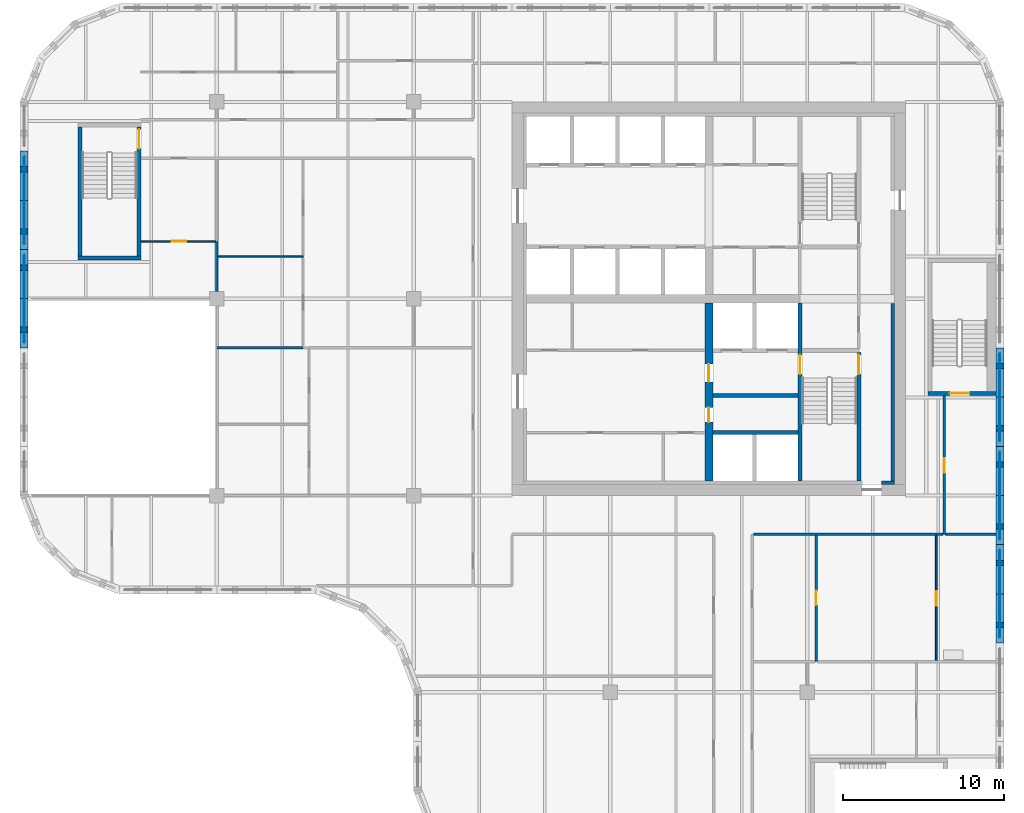
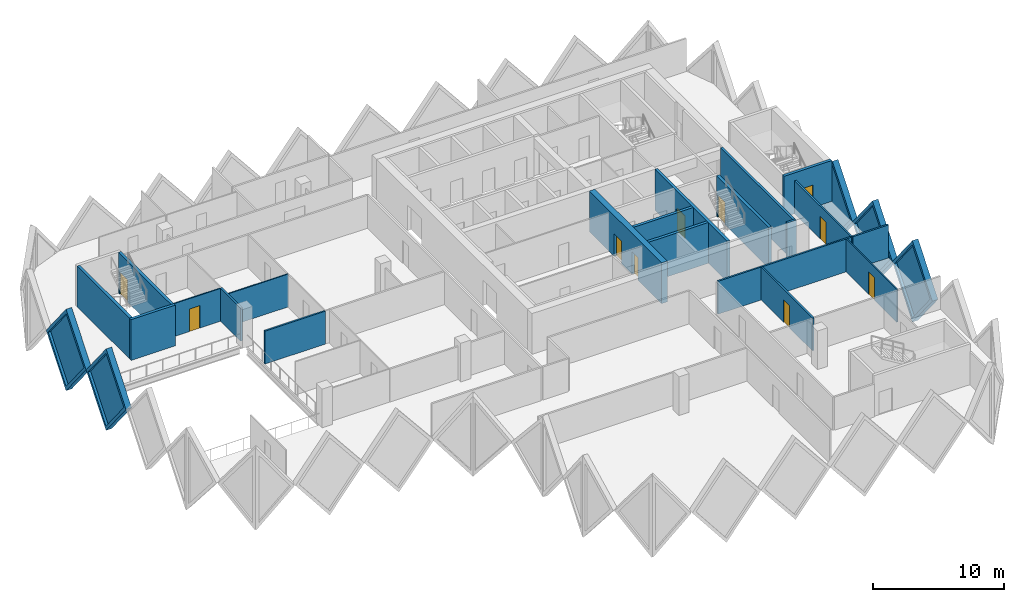
# One storey, part 6 of 13: 25 walls, 10 doors, 5 plates, 15 openings.
"""IFC4 building model written with IfcOpenShell, lengths in metres."""

from ifc_helpers import new_model, si_unit, direction, frame, frame_2d, origin, place, context, subcontext, project, spatial, polyline, rectangle, outline, extrude, faceted_brep, source, transform, mapped, material, layer, layer_set, type_object, element, fill, save


model = new_model("IFC4")

# Units and contexts
model_context = context("Model", 3, precision=1e-05, world=origin(), true_north=direction((0.0, 1.0)))
body_context = subcontext(model_context, "Body", "Model", "MODEL_VIEW")
ifc_project = project(units=[si_unit("LENGTHUNIT", "METRE"), si_unit("AREAUNIT", "SQUARE_METRE"), si_unit("VOLUMEUNIT", "CUBIC_METRE"), si_unit("PLANEANGLEUNIT", "RADIAN"), si_unit("MASSUNIT", "GRAM", prefix="KILO")], contexts=[model_context])

# Site, building, storey
site_placement = place(None, origin())
site = spatial("IfcSite", under=ifc_project, at=site_placement, CompositionType="ELEMENT")
building_placement = place(site_placement, origin())
building = spatial("IfcBuilding", under=site, at=building_placement, Name="Tessera Gate Towers", CompositionType="ELEMENT")
storey_placement = place(building_placement, frame((0.0, 0.0, 131.60009765625)))
storey = spatial("IfcBuildingStorey", under=building, at=storey_placement, Name="L32", CompositionType="ELEMENT", Elevation=131.60009765625)

# Wall, opening, door
ifc_material_1 = material(Name="Concrete C40/50", Category="concrete")
ifc_layer_1 = layer(ifc_material_1, 0.25)
ifc_layer_set_1 = layer_set([ifc_layer_1], Name="CORE ENCLOSURE WALL 250")
wall_type_1 = type_object("IfcWallType", Name="CORE ENCLOSURE WALL 250", PredefinedType="SOLIDWALL", material=ifc_layer_set_1)
wall_1_placement = place(storey_placement, frame((48.35009765625, 36.35009765625, 0.0), z_axis=(0.0, 0.0, 1.0), x_axis=(0.0, -1.0, 0.0)))
wall_1 = element("IfcWall", 1, at=wall_1_placement, inside=storey, type_object=wall_type_1, Name="L32 shaft and stair enclosure wall", PredefinedType="SOLIDWALL", context=body_context, shape_type="SweptSolid", body=[
    extrude(rectangle(XDim=11.050048828125, YDim=0.25, at=frame_2d((5.52490234375, 0.0))), origin(), (0.0, 0.0, 1.0), 3.7998046875),
])
shared_shape_1 = source(origin(), body_context, "Body", "SweptSolid", [
    extrude(rectangle(XDim=1.199951171875, YDim=2.10009765625, at=frame_2d((0.60009765625, 1.050048828125))), frame((0.0, 0.135009765625, 0.0), z_axis=(0.0, -1.0, 0.0), x_axis=(1.0, 0.0, 0.0)), (0.0, 0.0, 1.0), 0.27001953125),
])
opening_1_placement = place(wall_1_placement, frame((3.22509765625, 0.0, 0.0)))
opening_1 = element("IfcOpeningElement", 2, at=opening_1_placement, cuts=wall_1, Name="Opening SD-ST1-1", PredefinedType="OPENING", context=body_context, shape_type="MappedRepresentation", body=[
    mapped(shared_shape_1, transform((0.0, 0.0, 0.0), scale=1.0)),
])
ifc_material_2 = material(Name="Hollow steel fire door", Category="steel")
door_type_1 = type_object("IfcDoorType", Name="CORE DOOR SD 1200x2100", OperationType="NOTDEFINED", PredefinedType="DOOR", material=ifc_material_2)
shared_shape_2 = source(origin(), body_context, "Body", "SweptSolid", [
    extrude(rectangle(XDim=1.199951171875, YDim=2.10009765625, at=frame_2d((0.60009765625, 1.050048828125))), frame((0.0, 0.02490234375, 0.0), z_axis=(0.0, -1.0, 0.0), x_axis=(1.0, 0.0, 0.0)), (0.0, 0.0, 1.0), 0.050048828125),
])
door_1_placement = place(opening_1_placement, origin())
door_1 = element("IfcDoor", 3, at=door_1_placement, inside=storey, type_object=door_type_1, Name="Stair door", OperationType="SINGLE_SWING_LEFT", OverallHeight=2.10009765625, OverallWidth=1.199951171875, PredefinedType="DOOR", context=body_context, shape_type="MappedRepresentation", body=[
    mapped(shared_shape_2, transform((0.0, 0.0, 0.0), scale=1.0)),
])
fill(opening_1, door_1)

wall_2_placement = place(storey_placement, frame((52.0, 25.300048828125, 0.0), z_axis=(0.0, 0.0, 1.0), x_axis=(0.0, 1.0, 0.0)))
wall_2 = element("IfcWall", 4, at=wall_2_placement, inside=storey, type_object=wall_type_1, Name="L32 shaft and stair enclosure wall", PredefinedType="SOLIDWALL", context=body_context, shape_type="SweptSolid", body=[
    extrude(rectangle(XDim=7.974853515625, YDim=0.25, at=frame_2d((3.9873046875, 0.0))), origin(), (0.0, 0.0, 1.0), 3.7998046875),
])
opening_2_placement = place(wall_2_placement, frame((6.625, 0.0, 0.0)))
opening_2 = element("IfcOpeningElement", 5, at=opening_2_placement, cuts=wall_2, Name="Opening SD-ST1-2", PredefinedType="OPENING", context=body_context, shape_type="MappedRepresentation", body=[
    mapped(shared_shape_1, transform((0.0, 0.0, 0.0), scale=1.0)),
])
door_2_placement = place(opening_2_placement, origin())
door_2 = element("IfcDoor", 6, at=door_2_placement, inside=storey, type_object=door_type_1, Name="Stair door", OperationType="SINGLE_SWING_RIGHT", OverallHeight=2.10009765625, OverallWidth=1.199951171875, PredefinedType="DOOR", context=body_context, shape_type="MappedRepresentation", body=[
    mapped(shared_shape_2, transform((0.0, 0.0, 0.0), scale=1.0)),
])
fill(opening_2, door_2)

# Walls
for number, where, z_axis, x_axis, name in (
    (7, (42.949951171875, 28.300048828125, 0.0), (0.0, 0.0, 1.0), (1.0, 0.0, 0.0), "L32 shaft and stair enclosure wall"),
    (8, (42.949951171875, 30.60009765625, 0.0), (0.0, 0.0, 1.0), (1.0, 0.0, 0.0), "L32 shaft and stair enclosure wall"),
):
    element("IfcWall", number, at=place(storey_placement, frame(where, z_axis=z_axis, x_axis=x_axis)), inside=storey, type_object=wall_type_1, Name=name, PredefinedType="SOLIDWALL", context=body_context, shape_type="SweptSolid", body=[
        extrude(rectangle(XDim=5.275146484375, YDim=0.25, at=frame_2d((2.6376953125, 0.0))), origin(), (0.0, 0.0, 1.0), 3.7998046875),
    ])
wall_3_placement = place(storey_placement, frame((7.5, 39.125, 0.0), z_axis=(0.0, 0.0, 1.0), x_axis=(-1.0, 0.0, 0.0)))
element("IfcWall", 9, at=wall_3_placement, inside=storey, type_object=wall_type_1, Name="L32 ST3 enclosure wall", PredefinedType="SOLIDWALL", context=body_context, shape_type="SweptSolid", body=[
    extrude(rectangle(XDim=3.89990234375, YDim=0.25, at=frame_2d((1.949951171875, 0.0))), origin(), (0.0, 0.0, 1.0), 3.7998046875),
])
wall_4_placement = place(storey_placement, frame((3.72509765625, 39.25, 0.0), z_axis=(0.0, 0.0, 1.0), x_axis=(0.0, 1.0, 0.0)))
element("IfcWall", 10, at=wall_4_placement, inside=storey, type_object=wall_type_1, Name="L32 ST3 enclosure wall", PredefinedType="SOLIDWALL", context=body_context, shape_type="SweptSolid", body=[
    extrude(rectangle(XDim=8.0, YDim=0.25, at=frame_2d((4.0, 0.0))), origin(), (0.0, 0.0, 1.0), 3.7998046875),
])

# Wall, opening, door
wall_5_placement = place(storey_placement, frame((7.375, 47.25, 0.0), z_axis=(0.0, 0.0, 1.0), x_axis=(0.0, -1.0, 0.0)))
wall_5 = element("IfcWall", 11, at=wall_5_placement, inside=storey, type_object=wall_type_1, Name="L32 ST3 enclosure wall", PredefinedType="SOLIDWALL", context=body_context, shape_type="SweptSolid", body=[
    extrude(rectangle(XDim=8.0, YDim=0.25, at=frame_2d((4.0, 0.0))), origin(), (0.0, 0.0, 1.0), 3.7998046875),
])
opening_3_placement = place(wall_5_placement, frame((0.14990234375, 0.0, 0.0)))
opening_3 = element("IfcOpeningElement", 12, at=opening_3_placement, cuts=wall_5, Name="Opening SD-ST3-1", PredefinedType="OPENING", context=body_context, shape_type="MappedRepresentation", body=[
    mapped(shared_shape_1, transform((0.0, 0.0, 0.0), scale=1.0)),
])
door_3_placement = place(opening_3_placement, origin())
door_3 = element("IfcDoor", 13, at=door_3_placement, inside=storey, type_object=door_type_1, Name="Stair door", OperationType="SINGLE_SWING_LEFT", OverallHeight=2.10009765625, OverallWidth=1.199951171875, PredefinedType="DOOR", context=body_context, shape_type="MappedRepresentation", body=[
    mapped(shared_shape_2, transform((0.0, 0.0, 0.0), scale=1.0)),
])
fill(opening_3, door_3)

wall_6_placement = place(storey_placement, frame((60.5, 30.72509765625, 0.0), z_axis=(0.0, 0.0, 1.0), x_axis=(-1.0, 0.0, 0.0)))
wall_6 = element("IfcWall", 14, at=wall_6_placement, inside=storey, type_object=wall_type_1, Name="L32 ST5 enclosure wall", PredefinedType="SOLIDWALL", context=body_context, shape_type="SweptSolid", body=[
    extrude(rectangle(XDim=4.199951171875, YDim=0.25, at=frame_2d((2.10009765625, 0.0))), origin(), (0.0, 0.0, 1.0), 3.7998046875),
])
opening_4_placement = place(wall_6_placement, frame((1.64990234375, 0.0, 0.0)))
opening_4 = element("IfcOpeningElement", 15, at=opening_4_placement, cuts=wall_6, Name="Opening SD-ST5-1", PredefinedType="OPENING", context=body_context, shape_type="MappedRepresentation", body=[
    mapped(shared_shape_1, transform((0.0, 0.0, 0.0), scale=1.0)),
])
door_4_placement = place(opening_4_placement, origin())
door_4 = element("IfcDoor", 16, at=door_4_placement, inside=storey, type_object=door_type_1, Name="Stair door", OperationType="SINGLE_SWING_RIGHT", OverallHeight=2.10009765625, OverallWidth=1.199951171875, PredefinedType="DOOR", context=body_context, shape_type="MappedRepresentation", body=[
    mapped(shared_shape_2, transform((0.0, 0.0, 0.0), scale=1.0)),
])
fill(opening_4, door_4)

# Wall, openings, doors
ifc_material_3 = material(Name="Concrete C60/75", Category="concrete")
ifc_layer_2 = layer(ifc_material_3, 0.5)
ifc_layer_set_2 = layer_set([ifc_layer_2], Name="CORE SPINE WALL 500 C60/75")
wall_type_2 = type_object("IfcWallType", Name="CORE SPINE WALL 500 C60/75", PredefinedType="SHEAR", material=ifc_layer_set_2)
wall_7_placement = place(storey_placement, frame((42.699951171875, 36.35009765625, 0.0), z_axis=(0.0, 0.0, 1.0), x_axis=(0.0, -1.0, 0.0)))
wall_7 = element("IfcWall", 17, at=wall_7_placement, inside=storey, type_object=wall_type_2, Name="Core wall spine L32", PredefinedType="SHEAR", context=body_context, shape_type="SweptSolid", body=[
    extrude(rectangle(XDim=11.050048828125, YDim=0.5, at=frame_2d((5.52490234375, 0.0))), origin(), (0.0, 0.0, 1.0), 3.7998046875),
])
shared_shape_3 = source(origin(), body_context, "Body", "SweptSolid", [
    extrude(rectangle(XDim=0.89990234375, YDim=2.10009765625, at=frame_2d((0.449951171875, 1.050048828125))), frame((0.0, 0.260009765625, 0.0), z_axis=(0.0, -1.0, 0.0), x_axis=(1.0, 0.0, 0.0)), (0.0, 0.0, 1.0), 0.52001953125),
])
opening_5_placement = place(wall_7_placement, frame((6.5, 0.0, 0.0)))
opening_5 = element("IfcOpeningElement", 18, at=opening_5_placement, cuts=wall_7, Name="Opening RD-T1-22-05", PredefinedType="OPENING", context=body_context, shape_type="MappedRepresentation", body=[
    mapped(shared_shape_3, transform((0.0, 0.0, 0.0), scale=1.0)),
])
shared_shape_4 = source(origin(), body_context, "Body", "SweptSolid", [
    extrude(rectangle(XDim=1.10009765625, YDim=2.10009765625, at=frame_2d((0.550048828125, 1.050048828125))), frame((0.0, 0.260009765625, 0.0), z_axis=(0.0, -1.0, 0.0), x_axis=(1.0, 0.0, 0.0)), (0.0, 0.0, 1.0), 0.52001953125),
])
opening_6_placement = place(wall_7_placement, frame((3.800048828125, 0.0, 0.0)))
opening_6 = element("IfcOpeningElement", 19, at=opening_6_placement, cuts=wall_7, Name="Opening FD-T1-22-06", PredefinedType="OPENING", context=body_context, shape_type="MappedRepresentation", body=[
    mapped(shared_shape_4, transform((0.0, 0.0, 0.0), scale=1.0)),
])
ifc_material_4 = material(Name="Hollow steel fire door", Category="steel")
door_type_2 = type_object("IfcDoorType", Name="CORE DOOR RD 900x2100", OperationType="NOTDEFINED", PredefinedType="DOOR", material=ifc_material_4)
shared_shape_5 = source(origin(), body_context, "Body", "SweptSolid", [
    extrude(rectangle(XDim=0.89990234375, YDim=2.10009765625, at=frame_2d((0.449951171875, 1.050048828125))), frame((0.0, 0.02490234375, 0.0), z_axis=(0.0, -1.0, 0.0), x_axis=(1.0, 0.0, 0.0)), (0.0, 0.0, 1.0), 0.050048828125),
])
door_5_placement = place(opening_5_placement, origin())
door_5 = element("IfcDoor", 20, at=door_5_placement, inside=storey, type_object=door_type_2, Name="Core room door", OperationType="SINGLE_SWING_RIGHT", OverallHeight=2.10009765625, OverallWidth=0.89990234375, PredefinedType="DOOR", context=body_context, shape_type="MappedRepresentation", body=[
    mapped(shared_shape_5, transform((0.0, 0.0, 0.0), scale=1.0)),
])
fill(opening_5, door_5)
ifc_material_5 = material(Name="Hollow steel fire door", Category="steel")
door_type_3 = type_object("IfcDoorType", Name="CORE DOOR FD 1100x2100", OperationType="NOTDEFINED", PredefinedType="DOOR", material=ifc_material_5)
shared_shape_6 = source(origin(), body_context, "Body", "SweptSolid", [
    extrude(rectangle(XDim=1.10009765625, YDim=2.10009765625, at=frame_2d((0.550048828125, 1.050048828125))), frame((0.0, 0.02490234375, 0.0), z_axis=(0.0, -1.0, 0.0), x_axis=(1.0, 0.0, 0.0)), (0.0, 0.0, 1.0), 0.050048828125),
])
door_6_placement = place(opening_6_placement, origin())
door_6 = element("IfcDoor", 21, at=door_6_placement, inside=storey, type_object=door_type_3, Name="Fire-fighting lobby door", OperationType="SINGLE_SWING_LEFT", OverallHeight=2.10009765625, OverallWidth=1.10009765625, PredefinedType="DOOR", context=body_context, shape_type="MappedRepresentation", body=[
    mapped(shared_shape_6, transform((0.0, 0.0, 0.0), scale=1.0)),
])
fill(opening_6, door_6)

# Walls
ifc_material_6 = material(Name="Concrete C60/75", Category="concrete")
ifc_layer_3 = layer(ifc_material_6, 0.199951171875)
ifc_layer_set_3 = layer_set([ifc_layer_3], Name="CORE WALL THICKENING 200")
wall_type_3 = type_object("IfcWallType", Name="CORE WALL THICKENING 200", PredefinedType="SOLIDWALL", material=ifc_layer_set_3)
wall_8_placement = place(storey_placement, frame((53.39990234375, 25.199951171875, 0.0), z_axis=(0.0, 0.0, 1.0), x_axis=(1.0, 0.0, 0.0)))
element("IfcWall", 22, at=wall_8_placement, inside=storey, type_object=wall_type_3, Name="Core wall thickening S L32", PredefinedType="SOLIDWALL", context=body_context, shape_type="SweptSolid", body=[
    extrude(rectangle(XDim=0.800048828125, YDim=0.199951171875, at=frame_2d((0.39990234375, 0.0))), origin(), (0.0, 0.0, 1.0), 3.7998046875),
])
wall_9_placement = place(storey_placement, frame((54.10009765625, 25.300048828125, 0.0), z_axis=(0.0, 0.0, 1.0), x_axis=(0.0, 1.0, 0.0)))
element("IfcWall", 23, at=wall_9_placement, inside=storey, type_object=wall_type_3, Name="Core wall thickening E L32", PredefinedType="SOLIDWALL", context=body_context, shape_type="SweptSolid", body=[
    extrude(rectangle(XDim=11.02001953125, YDim=0.199951171875, at=frame_2d((5.510009765625, 0.0))), origin(), (0.0, 0.0, 1.0), 3.7998046875),
])
ifc_material_7 = material(Name="Gypsum board on steel studs, mineral wool", Category="steel")
ifc_layer_4 = layer(ifc_material_7, 0.14990234375)
ifc_layer_set_4 = layer_set([ifc_layer_4], Name="CORRIDOR WALL 150")
wall_type_4 = type_object("IfcWallType", Name="CORRIDOR WALL 150", PredefinedType="PARTITIONING", material=ifc_layer_set_4)
wall_10_placement = place(storey_placement, frame((45.47607421875, 22.0, 0.0), z_axis=(0.0, 0.0, 1.0), x_axis=(1.0, 0.0, 0.0)))
element("IfcWall", 24, at=wall_10_placement, inside=storey, type_object=wall_type_4, Name="T1-L32-PW-018", PredefinedType="PARTITIONING", context=body_context, shape_type="SweptSolid", body=[
    extrude(rectangle(XDim=11.748046875, YDim=0.14990234375, at=frame_2d((5.8740234375, 0.0))), origin(), (0.0, 0.0, 1.0), 3.06689453125),
])

# Wall, opening, door
wall_11_placement = place(storey_placement, frame((57.300048828125, 30.60009765625, 0.0), z_axis=(0.0, 0.0, 1.0), x_axis=(0.0, -1.0, 0.0)))
wall_11 = element("IfcWall", 25, at=wall_11_placement, inside=storey, type_object=wall_type_4, Name="T1-L32-PW-019", PredefinedType="PARTITIONING", context=body_context, shape_type="SweptSolid", body=[
    extrude(rectangle(XDim=8.60009765625, YDim=0.14990234375, at=frame_2d((4.300048828125, 0.0))), origin(), (0.0, 0.0, 1.0), 3.06689453125),
])
shared_shape_7 = source(origin(), body_context, "Body", "SweptSolid", [
    extrude(rectangle(XDim=0.89990234375, YDim=2.10009765625, at=frame_2d((0.449951171875, 1.050048828125))), frame((0.0, 0.0849609375, 0.0), z_axis=(0.0, -1.0, 0.0), x_axis=(1.0, 0.0, 0.0)), (0.0, 0.0, 1.0), 0.169921875),
])
opening_7_placement = place(wall_11_placement, frame((3.89990234375, 0.0, 0.0)))
opening_7 = element("IfcOpeningElement", 26, at=opening_7_placement, cuts=wall_11, Name="Opening D890FD60-A11-03", PredefinedType="OPENING", context=body_context, shape_type="MappedRepresentation", body=[
    mapped(shared_shape_7, transform((0.0, 0.0, 0.0), scale=1.0)),
])
ifc_material_8 = material(Name="Timber door leaf in steel frame", Category="steel")
door_type_4 = type_object("IfcDoorType", Name="CORRIDOR DOOR 900 FD60", OperationType="NOTDEFINED", PredefinedType="DOOR", material=ifc_material_8)
door_7_placement = place(opening_7_placement, origin())
door_7 = element("IfcDoor", 27, at=door_7_placement, inside=storey, type_object=door_type_4, Name="T1-L32-PD-017", OperationType="SINGLE_SWING_RIGHT", OverallHeight=2.10009765625, OverallWidth=0.89990234375, PredefinedType="DOOR", context=body_context, shape_type="MappedRepresentation", body=[
    mapped(shared_shape_5, transform((0.0, 0.0, 0.0), scale=1.0)),
])
fill(opening_7, door_7)

ifc_material_9 = material(Name="Gypsum board on steel studs", Category="steel")
ifc_layer_5 = layer(ifc_material_9, 0.10009765625)
ifc_layer_set_5 = layer_set([ifc_layer_5], Name="PARTITION 100")
wall_type_5 = type_object("IfcWallType", Name="PARTITION 100", PredefinedType="PARTITIONING", material=ifc_layer_set_5)
wall_12_placement = place(storey_placement, frame((56.800048828125, 21.924072265625, 0.0), z_axis=(0.0, 0.0, 1.0), x_axis=(0.0, -1.0, 0.0)))
wall_12 = element("IfcWall", 28, at=wall_12_placement, inside=storey, type_object=wall_type_5, Name="T1-L32-PW-011", PredefinedType="PARTITIONING", context=body_context, shape_type="SweptSolid", body=[
    extrude(rectangle(XDim=7.748046875, YDim=0.10009765625, at=frame_2d((3.8740234375, 0.0))), origin(), (0.0, 0.0, 1.0), 3.06689453125),
])
shared_shape_8 = source(origin(), body_context, "Body", "SweptSolid", [
    extrude(rectangle(XDim=0.89990234375, YDim=2.10009765625, at=frame_2d((0.449951171875, 1.050048828125))), frame((0.0, 0.06005859375, 0.0), z_axis=(0.0, -1.0, 0.0), x_axis=(1.0, 0.0, 0.0)), (0.0, 0.0, 1.0), 0.1201171875),
])
opening_8_placement = place(wall_12_placement, frame((3.447998046875, 0.0, 0.0)))
opening_8 = element("IfcOpeningElement", 29, at=opening_8_placement, cuts=wall_12, Name="Opening D190-A11-03", PredefinedType="OPENING", context=body_context, shape_type="MappedRepresentation", body=[
    mapped(shared_shape_8, transform((0.0, 0.0, 0.0), scale=1.0)),
])
ifc_material_10 = material(Name="Timber door leaf in steel frame", Category="steel")
door_type_5 = type_object("IfcDoorType", Name="INTERNAL DOOR 900 NOT RATED", OperationType="NOTDEFINED", PredefinedType="DOOR", material=ifc_material_10)
door_8_placement = place(opening_8_placement, origin())
door_8 = element("IfcDoor", 30, at=door_8_placement, inside=storey, type_object=door_type_5, Name="T1-L32-PD-012", OperationType="SINGLE_SWING_RIGHT", OverallHeight=2.10009765625, OverallWidth=0.89990234375, PredefinedType="DOOR", context=body_context, shape_type="MappedRepresentation", body=[
    mapped(shared_shape_5, transform((0.0, 0.0, 0.0), scale=1.0)),
])
fill(opening_8, door_8)

# Wall
wall_13_placement = place(storey_placement, frame((12.27587890625, 39.22607421875, 0.0), z_axis=(0.0, 0.0, 1.0), x_axis=(1.0, 0.0, 0.0)))
element("IfcWall", 31, at=wall_13_placement, inside=storey, type_object=wall_type_5, Name="T1-L32-PW-033", PredefinedType="PARTITIONING", context=body_context, shape_type="SweptSolid", body=[
    extrude(rectangle(XDim=5.274169921875, YDim=0.10009765625, at=frame_2d((2.63720703125, 0.0))), origin(), (0.0, 0.0, 1.0), 3.06689453125),
])

# Wall, opening, door
wall_14_placement = place(storey_placement, frame((12.1240234375, 40.155029296875, 0.0), z_axis=(0.0, 0.0, 1.0), x_axis=(-1.0, 0.0, 0.0)))
wall_14 = element("IfcWall", 32, at=wall_14_placement, inside=storey, type_object=wall_type_5, Name="T1-L32-PW-035", PredefinedType="PARTITIONING", context=body_context, shape_type="SweptSolid", body=[
    extrude(rectangle(XDim=4.6240234375, YDim=0.10009765625, at=frame_2d((2.31201171875, 0.0))), origin(), (0.0, 0.0, 1.0), 3.06689453125),
])
opening_9_placement = place(wall_14_placement, frame((1.823974609375, 0.0, 0.0)))
opening_9 = element("IfcOpeningElement", 33, at=opening_9_placement, cuts=wall_14, Name="Opening D190-A11-01", PredefinedType="OPENING", context=body_context, shape_type="MappedRepresentation", body=[
    mapped(shared_shape_8, transform((0.0, 0.0, 0.0), scale=1.0)),
])
door_9_placement = place(opening_9_placement, origin())
door_9 = element("IfcDoor", 34, at=door_9_placement, inside=storey, type_object=door_type_5, Name="T1-L32-PD-004", OperationType="SINGLE_SWING_RIGHT", OverallHeight=2.10009765625, OverallWidth=0.89990234375, PredefinedType="DOOR", context=body_context, shape_type="MappedRepresentation", body=[
    mapped(shared_shape_5, transform((0.0, 0.0, 0.0), scale=1.0)),
])
fill(opening_9, door_9)

ifc_material_11 = material(Name="Gypsum board on steel studs, mineral wool", Category="steel")
ifc_layer_6 = layer(ifc_material_11, 0.14990234375)
ifc_layer_set_6 = layer_set([ifc_layer_6], Name="TENANCY WALL 150")
wall_type_6 = type_object("IfcWallType", Name="TENANCY WALL 150", PredefinedType="PARTITIONING", material=ifc_layer_set_6)
wall_15_placement = place(storey_placement, frame((49.35009765625, 21.924072265625, 0.0), z_axis=(0.0, 0.0, 1.0), x_axis=(0.0, -1.0, 0.0)))
wall_15 = element("IfcWall", 35, at=wall_15_placement, inside=storey, type_object=wall_type_6, Name="T1-L32-PW-009", PredefinedType="PARTITIONING", context=body_context, shape_type="SweptSolid", body=[
    extrude(rectangle(XDim=7.823974609375, YDim=0.14990234375, at=frame_2d((3.912109375, 0.0))), origin(), (0.0, 0.0, 1.0), 3.06689453125),
])
opening_10_placement = place(wall_15_placement, frame((3.424072265625, 0.0, 0.0)))
opening_10 = element("IfcOpeningElement", 36, at=opening_10_placement, cuts=wall_15, Name="Opening D190-A11-04", PredefinedType="OPENING", context=body_context, shape_type="MappedRepresentation", body=[
    mapped(shared_shape_7, transform((0.0, 0.0, 0.0), scale=1.0)),
])
door_10_placement = place(opening_10_placement, origin())
door_10 = element("IfcDoor", 37, at=door_10_placement, inside=storey, type_object=door_type_5, Name="T1-L32-PD-013", OperationType="SINGLE_SWING_RIGHT", OverallHeight=2.10009765625, OverallWidth=0.89990234375, PredefinedType="DOOR", context=body_context, shape_type="MappedRepresentation", body=[
    mapped(shared_shape_5, transform((0.0, 0.0, 0.0), scale=1.0)),
])
fill(opening_10, door_10)

# Walls
wall_16_placement = place(storey_placement, frame((57.3759765625, 22.0, 0.0), z_axis=(0.0, 0.0, 1.0), x_axis=(1.0, 0.0, 0.0)))
element("IfcWall", 38, at=wall_16_placement, inside=storey, type_object=wall_type_6, Name="T1-L32-PW-020", PredefinedType="PARTITIONING", context=body_context, shape_type="SweptSolid", body=[
    extrude(rectangle(XDim=3.1240234375, YDim=0.14990234375, at=frame_2d((1.56201171875, 0.0))), origin(), (0.0, 0.0, 1.0), 3.06689453125),
])
wall_17_placement = place(storey_placement, frame((12.199951171875, 33.550048828125, 0.0), z_axis=(0.0, 0.0, 1.0), x_axis=(1.0, 0.0, 0.0)))
element("IfcWall", 39, at=wall_17_placement, inside=storey, type_object=wall_type_6, Name="T1-L32-PW-027", PredefinedType="PARTITIONING", context=body_context, shape_type="SweptSolid", body=[
    extrude(rectangle(XDim=5.35009765625, YDim=0.14990234375, at=frame_2d((2.675048828125, 0.0))), origin(), (0.0, 0.0, 1.0), 3.06689453125),
])
wall_18_placement = place(storey_placement, frame((12.199951171875, 37.051025390625, 0.0), z_axis=(0.0, 0.0, 1.0), x_axis=(0.0, 1.0, 0.0)))
element("IfcWall", 40, at=wall_18_placement, inside=storey, type_object=wall_type_6, Name="T1-L32-PW-032", PredefinedType="PARTITIONING", context=body_context, shape_type="SweptSolid", body=[
    extrude(rectangle(XDim=3.10400390625, YDim=0.14990234375, at=frame_2d((1.552001953125, 0.0))), origin(), (0.0, 0.0, 1.0), 3.06689453125),
])

# Wall, opening, plate
ifc_material_12 = material(Name="Precast concrete C60/75 white", Category="concrete")
ifc_layer_7 = layer(ifc_material_12, 0.5)
ifc_layer_set_7 = layer_set([ifc_layer_7], Name="TS1 tessera")
wall_type_7 = type_object("IfcWallType", Name="TS1 tessera", PredefinedType="SOLIDWALL", material=ifc_layer_set_7)
shared_shape_9 = source(origin(), body_context, "Body", "Brep", [
    faceted_brep([(3.050048828125, -0.25, 0.0), (6.099853515625, -0.25, 3.7998046875), (6.099853515625, -0.25, 3.80029296875), (3.050048828125, -0.25, 7.599853515625), (0.0, -0.25, 3.800048828125), (0.0, 0.25, 3.800048828125), (3.050048828125, 0.25, 7.599853515625), (6.099853515625, 0.25, 3.80029296875), (6.099853515625, 0.25, 3.7998046875), (3.050048828125, 0.25, 0.0)], [[[0, 1, 2, 3, 4]], [[5, 6, 7, 8, 9]], [[9, 8, 1, 0]], [[7, 6, 3, 2]], [[6, 5, 4, 3]], [[5, 9, 0, 4]], [[1, 8, 7, 2]]]),
])
wall_19_placement = place(storey_placement, frame((60.75, 21.35009765625, -3.800048828125), z_axis=(0.0, 0.0, 1.0), x_axis=(0.0, 1.0, 0.0)))
wall_19 = element("IfcWall", 41, at=wall_19_placement, inside=storey, type_object=wall_type_7, Name="Precast tessera T1 TS1-0535", PredefinedType="SOLIDWALL", context=body_context, shape_type="MappedRepresentation", body=[
    mapped(shared_shape_9, transform((0.0, 0.0, 0.0), scale=1.0)),
])
shared_shape_10 = source(origin(), body_context, "Body", "SweptSolid", [
    extrude(outline(polyline([(3.050048828125, 0.3994140625), (5.779541015625, 3.800048828125), (3.050048828125, 7.200439453125), (0.320556640625, 3.800048828125), (3.050048828125, 0.3994140625)])), frame((0.0, 0.260009765625, 0.0), z_axis=(0.0, -1.0, 0.0), x_axis=(1.0, 0.0, 0.0)), (0.0, 0.0, 1.0), 0.52001953125),
])
opening_11_placement = place(wall_19_placement, origin())
opening_11 = element("IfcOpeningElement", 42, at=opening_11_placement, cuts=wall_19, Name="Opening T1-PL2-1091", PredefinedType="OPENING", context=body_context, shape_type="MappedRepresentation", body=[
    mapped(shared_shape_10, transform((0.0, 0.0, 0.0), scale=1.0)),
])
ifc_material_13 = material(Name="Low-e laminated glass", Category="glass")
ifc_layer_8 = layer(ifc_material_13, 0.06005859375)
ifc_layer_set_8 = layer_set([ifc_layer_8], Name="PL2 rhombic pane")
plate_type = type_object("IfcPlateType", Name="PL2 rhombic pane", PredefinedType="SHEET", material=ifc_layer_set_8)
shared_shape_11 = source(origin(), body_context, "Body", "SweptSolid", [
    extrude(outline(polyline([(3.050048828125, 0.3994140625), (5.779541015625, 3.800048828125), (3.050048828125, 7.200439453125), (0.320556640625, 3.800048828125), (3.050048828125, 0.3994140625)])), frame((0.0, 0.030029296875, 0.0), z_axis=(0.0, -1.0, 0.0), x_axis=(1.0, 0.0, 0.0)), (0.0, 0.0, 1.0), 0.06005859375),
])
plate_1_placement = place(opening_11_placement, origin())
plate_1 = element("IfcPlate", 43, at=plate_1_placement, inside=storey, type_object=plate_type, Name="Glass pane T1 PL2-1091", PredefinedType="SHEET", context=body_context, shape_type="MappedRepresentation", body=[
    mapped(shared_shape_11, transform((0.0, 0.0, 0.0), scale=1.0)),
])
fill(opening_11, plate_1)

wall_20_placement = place(storey_placement, frame((0.25, 39.64990234375, -3.800048828125), z_axis=(0.0, 0.0, 1.0), x_axis=(0.0, -1.0, 0.0)))
wall_20 = element("IfcWall", 44, at=wall_20_placement, inside=storey, type_object=wall_type_7, Name="Precast tessera T1 TS1-0548", PredefinedType="SOLIDWALL", context=body_context, shape_type="MappedRepresentation", body=[
    mapped(shared_shape_9, transform((0.0, 0.0, 0.0), scale=1.0)),
])
opening_12_placement = place(wall_20_placement, origin())
opening_12 = element("IfcOpeningElement", 45, at=opening_12_placement, cuts=wall_20, Name="Opening T1-PL2-1112", PredefinedType="OPENING", context=body_context, shape_type="MappedRepresentation", body=[
    mapped(shared_shape_10, transform((0.0, 0.0, 0.0), scale=1.0)),
])
plate_2_placement = place(opening_12_placement, origin())
plate_2 = element("IfcPlate", 46, at=plate_2_placement, inside=storey, type_object=plate_type, Name="Glass pane T1 PL2-1112", PredefinedType="SHEET", context=body_context, shape_type="MappedRepresentation", body=[
    mapped(shared_shape_11, transform((0.0, 0.0, 0.0), scale=1.0)),
])
fill(opening_12, plate_2)

shared_shape_12 = source(origin(), body_context, "Body", "SweptSolid", [
    extrude(outline(polyline([(3.050048828125, 0.0), (6.10009765625, 3.800048828125), (3.050048828125, 7.599853515625), (0.0, 3.800048828125), (3.050048828125, 0.0)])), frame((0.0, 0.25, 0.0), z_axis=(0.0, -1.0, 0.0), x_axis=(1.0, 0.0, 0.0)), (0.0, 0.0, 1.0), 0.5),
])
wall_21_placement = place(storey_placement, frame((60.75, 15.25, -3.800048828125), z_axis=(0.0, 0.0, 1.0), x_axis=(0.0, 1.0, 0.0)))
wall_21 = element("IfcWall", 47, at=wall_21_placement, inside=storey, type_object=wall_type_7, Name="Precast tessera T1 TS1-0534", PredefinedType="SOLIDWALL", context=body_context, shape_type="MappedRepresentation", body=[
    mapped(shared_shape_12, transform((0.0, 0.0, 0.0), scale=1.0)),
])
opening_13_placement = place(wall_21_placement, origin())
opening_13 = element("IfcOpeningElement", 48, at=opening_13_placement, cuts=wall_21, Name="Opening T1-PL2-1090", PredefinedType="OPENING", context=body_context, shape_type="MappedRepresentation", body=[
    mapped(shared_shape_10, transform((0.0, 0.0, 0.0), scale=1.0)),
])
plate_3_placement = place(opening_13_placement, origin())
plate_3 = element("IfcPlate", 49, at=plate_3_placement, inside=storey, type_object=plate_type, Name="Glass pane T1 PL2-1090", PredefinedType="SHEET", context=body_context, shape_type="MappedRepresentation", body=[
    mapped(shared_shape_11, transform((0.0, 0.0, 0.0), scale=1.0)),
])
fill(opening_13, plate_3)

wall_22_placement = place(storey_placement, frame((60.75, 27.449951171875, -3.800048828125), z_axis=(0.0, 0.0, 1.0), x_axis=(0.0, 1.0, 0.0)))
wall_22 = element("IfcWall", 50, at=wall_22_placement, inside=storey, type_object=wall_type_7, Name="Precast tessera T1 TS1-0536", PredefinedType="SOLIDWALL", context=body_context, shape_type="MappedRepresentation", body=[
    mapped(shared_shape_12, transform((0.0, 0.0, 0.0), scale=1.0)),
])
opening_14_placement = place(wall_22_placement, origin())
opening_14 = element("IfcOpeningElement", 51, at=opening_14_placement, cuts=wall_22, Name="Opening T1-PL2-1092", PredefinedType="OPENING", context=body_context, shape_type="MappedRepresentation", body=[
    mapped(shared_shape_10, transform((0.0, 0.0, 0.0), scale=1.0)),
])
plate_4_placement = place(opening_14_placement, origin())
plate_4 = element("IfcPlate", 52, at=plate_4_placement, inside=storey, type_object=plate_type, Name="Glass pane T1 PL2-1092", PredefinedType="SHEET", context=body_context, shape_type="MappedRepresentation", body=[
    mapped(shared_shape_11, transform((0.0, 0.0, 0.0), scale=1.0)),
])
fill(opening_14, plate_4)

wall_23_placement = place(storey_placement, frame((0.25, 45.75, -3.800048828125), z_axis=(0.0, 0.0, 1.0), x_axis=(0.0, -1.0, 0.0)))
wall_23 = element("IfcWall", 53, at=wall_23_placement, inside=storey, type_object=wall_type_7, Name="Precast tessera T1 TS1-0547", PredefinedType="SOLIDWALL", context=body_context, shape_type="MappedRepresentation", body=[
    mapped(shared_shape_12, transform((0.0, 0.0, 0.0), scale=1.0)),
])
opening_15_placement = place(wall_23_placement, origin())
opening_15 = element("IfcOpeningElement", 54, at=opening_15_placement, cuts=wall_23, Name="Opening T1-PL2-1111", PredefinedType="OPENING", context=body_context, shape_type="MappedRepresentation", body=[
    mapped(shared_shape_10, transform((0.0, 0.0, 0.0), scale=1.0)),
])
plate_5_placement = place(opening_15_placement, origin())
plate_5 = element("IfcPlate", 55, at=plate_5_placement, inside=storey, type_object=plate_type, Name="Glass pane T1 PL2-1111", PredefinedType="SHEET", context=body_context, shape_type="MappedRepresentation", body=[
    mapped(shared_shape_11, transform((0.0, 0.0, 0.0), scale=1.0)),
])
fill(opening_15, plate_5)

save(model, "model.ifc")
